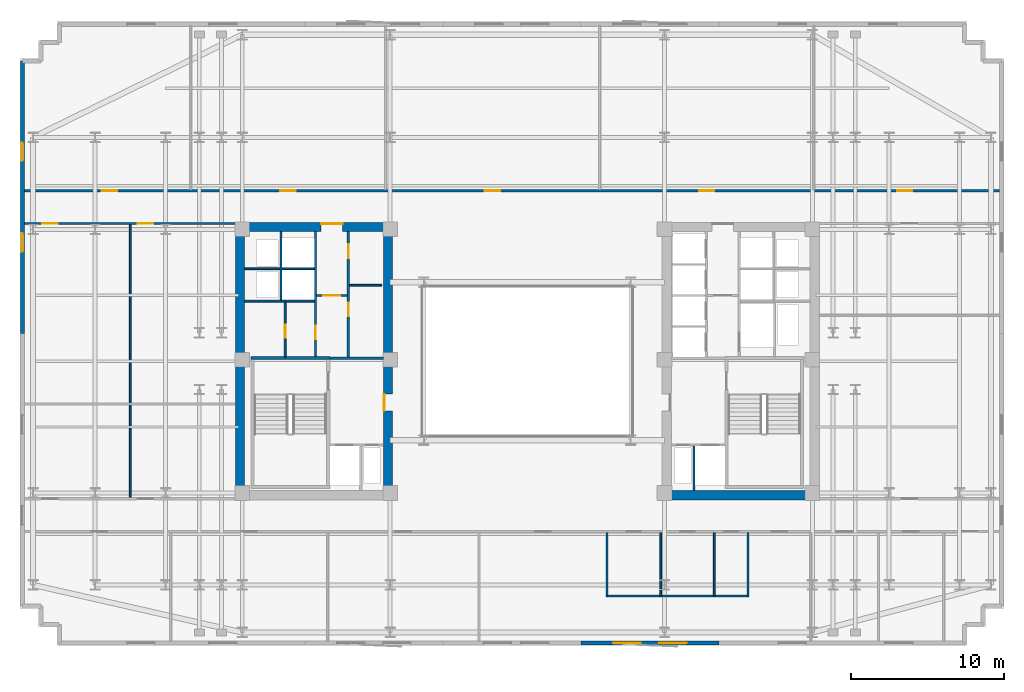
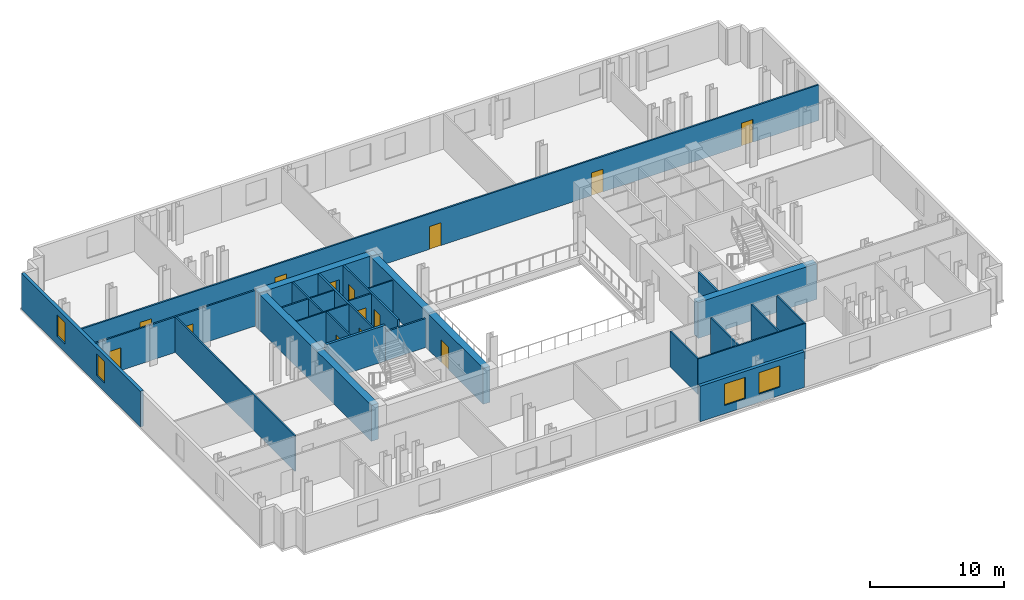
# One storey, part 5 of 9: 26 walls, 14 doors, 4 windows, 18 openings.
"""IFC4 building model written with IfcOpenShell, lengths in metres."""

from ifc_helpers import new_model, si_unit, direction, frame, frame_2d, origin, place, context, subcontext, project, spatial, rectangle, extrude, material, layer, layer_set, type_object, element, fill, save


model = new_model("IFC4")

# Units and contexts
model_context = context("Model", 3, precision=1e-05, world=origin(), true_north=direction((0.0, 1.0)))
body_context = subcontext(model_context, "Body", "Model", "MODEL_VIEW")
ifc_project = project(units=[si_unit("LENGTHUNIT", "METRE"), si_unit("AREAUNIT", "SQUARE_METRE"), si_unit("VOLUMEUNIT", "CUBIC_METRE"), si_unit("PLANEANGLEUNIT", "RADIAN"), si_unit("MASSUNIT", "GRAM", prefix="KILO")], contexts=[model_context])

# Site, building, storey
site_placement = place(None, origin())
site = spatial("IfcSite", under=ifc_project, at=site_placement, CompositionType="ELEMENT")
building_placement = place(site_placement, origin())
building = spatial("IfcBuilding", under=site, at=building_placement, Name="Velakula Bourse", CompositionType="ELEMENT")
storey_placement = place(building_placement, frame((0.0, 0.0, 138.10009765625)))
storey = spatial("IfcBuildingStorey", under=building, at=storey_placement, Name="L37", CompositionType="ELEMENT", Elevation=138.10009765625)

# Wall
ifc_material_1 = material(Name="Concrete M50 (fck 50 MPa)", Category="concrete")
ifc_layer_1 = layer(ifc_material_1, 0.2099609375, Name="Concrete M50 (fck 50 MPa)", Category="concrete")
ifc_layer_set_1 = layer_set([ifc_layer_1], Name="Concrete M50 (fck 50 MPa)")
wall_type_1 = type_object("IfcWallType", Name="WL-CORE-210", PredefinedType="SHEAR", material=ifc_layer_set_1)
wall_1_placement = place(storey_placement, frame((-12.889892578125, 0.205078125, 0.0), z_axis=(0.0, 0.0, 1.0), x_axis=(-1.0, 0.0, 0.0)))
element("IfcWall", 1, at=wall_1_placement, inside=storey, type_object=wall_type_1, Name="L37 Core W Stairwell Shear Wall N", PredefinedType="SHEAR", context=body_context, shape_type="SweptSolid", body=[
    extrude(rectangle(XDim=5.14013671875, YDim=0.2099609375, at=frame_2d((2.570068359375, 0.0))), origin(), (0.0, 0.0, 1.0), 3.27001953125),
])

# Wall, opening, door
ifc_material_2 = material(Name="Concrete M70 (fck 70 MPa)", Category="concrete")
ifc_layer_2 = layer(ifc_material_2, 0.60009765625, Name="Concrete M70 (fck 70 MPa)", Category="concrete")
ifc_layer_set_2 = layer_set([ifc_layer_2], Name="Concrete M70 (fck 70 MPa)")
wall_type_2 = type_object("IfcWallType", Name="WL-CORE-600", PredefinedType="SHEAR", material=ifc_layer_set_2)
wall_2_placement = place(storey_placement, frame((-19.050048828125, 8.75, 0.0), z_axis=(0.0, 0.0, 1.0), x_axis=(1.0, 0.0, 0.0)))
wall_2 = element("IfcWall", 2, at=wall_2_placement, inside=storey, type_object=wall_type_2, Name="L37 Core W Shear Wall N", PredefinedType="SHEAR", context=body_context, shape_type="SweptSolid", body=[
    extrude(rectangle(XDim=10.25, YDim=0.60009765625, at=frame_2d((5.125, 0.0))), origin(), (0.0, 0.0, 1.0), 3.27001953125),
])
opening_1_placement = place(wall_2_placement, frame((5.60009765625, 0.0, 0.0)))
opening_1 = element("IfcOpeningElement", 3, at=opening_1_placement, cuts=wall_2, Name="Opening D-LLW", PredefinedType="OPENING", context=body_context, shape_type="SweptSolid", body=[
    extrude(rectangle(XDim=1.39990234375, YDim=2.050048828125, at=frame_2d((0.699951171875, 1.02490234375))), frame((0.0, 0.31005859375, 0.0), z_axis=(0.0, -1.0, 0.0), x_axis=(1.0, 0.0, 0.0)), (0.0, 0.0, 1.0), 0.6201171875),
])
ifc_material_3 = material(Name="Fire-rated hardwood flush architectural door", Category="wood")
door_type_1 = type_object("IfcDoorType", Name="DR-DBL-FD60-1400", OperationType="DOUBLE_DOOR_SINGLE_SWING", PredefinedType="DOOR", material=ifc_material_3)
door_1_placement = place(opening_1_placement, origin())
door_1 = element("IfcDoor", 4, at=door_1_placement, inside=storey, type_object=door_type_1, Name="L37 Core W Lift Lobby Corridor Double Door", OperationType="DOUBLE_DOOR_SINGLE_SWING", OverallHeight=2.050048828125, OverallWidth=1.39990234375, PredefinedType="DOOR", context=body_context, shape_type="SweptSolid", body=[
    extrude(rectangle(XDim=1.39990234375, YDim=2.050048828125, at=frame_2d((0.699951171875, 1.02490234375))), frame((0.0, 0.2451171875, 0.0), z_axis=(0.0, -1.0, 0.0), x_axis=(1.0, 0.0, 0.0)), (0.0, 0.0, 1.0), 0.050048828125),
])
fill(opening_1, door_1)

# Wall
wall_3_placement = place(storey_placement, frame((-18.75, -8.449951171875, 0.0), z_axis=(0.0, 0.0, 1.0), x_axis=(0.0, 1.0, 0.0)))
element("IfcWall", 5, at=wall_3_placement, inside=storey, type_object=wall_type_2, Name="L37 Core W Shear Wall W", PredefinedType="SHEAR", context=body_context, shape_type="SweptSolid", body=[
    extrude(rectangle(XDim=16.89990234375, YDim=0.60009765625, at=frame_2d((8.449951171875, 0.0))), origin(), (0.0, 0.0, 1.0), 3.27001953125),
])

# Wall, opening, door
wall_4_placement = place(storey_placement, frame((-9.10009765625, -8.449951171875, 0.0), z_axis=(0.0, 0.0, 1.0), x_axis=(0.0, 1.0, 0.0)))
wall_4 = element("IfcWall", 6, at=wall_4_placement, inside=storey, type_object=wall_type_2, Name="L37 Core W Shear Wall E", PredefinedType="SHEAR", context=body_context, shape_type="SweptSolid", body=[
    extrude(rectangle(XDim=16.89990234375, YDim=0.60009765625, at=frame_2d((8.449951171875, 0.0))), origin(), (0.0, 0.0, 1.0), 3.27001953125),
])
opening_2_placement = place(wall_4_placement, frame((5.199951171875, 0.0, 0.0)))
opening_2 = element("IfcOpeningElement", 7, at=opening_2_placement, cuts=wall_4, Name="Opening D-FLW", PredefinedType="OPENING", context=body_context, shape_type="SweptSolid", body=[
    extrude(rectangle(XDim=1.10009765625, YDim=2.080078125, at=frame_2d((0.550048828125, 1.0400390625))), frame((0.0, 0.31005859375, 0.0), z_axis=(0.0, -1.0, 0.0), x_axis=(1.0, 0.0, 0.0)), (0.0, 0.0, 1.0), 0.6201171875),
])
ifc_material_4 = material(Name="Galvanised painted hollow steel fire door", Category="steel")
door_type_2 = type_object("IfcDoorType", Name="DR-FD120-1100", OperationType="NOTDEFINED", PredefinedType="DOOR", material=ifc_material_4)
door_2_placement = place(opening_2_placement, origin())
door_2 = element("IfcDoor", 8, at=door_2_placement, inside=storey, type_object=door_type_2, Name="L37 Firefighting Lobby W Corridor Fire Door", OperationType="SINGLE_SWING_LEFT", OverallHeight=2.080078125, OverallWidth=1.10009765625, PredefinedType="DOOR", context=body_context, shape_type="SweptSolid", body=[
    extrude(rectangle(XDim=1.10009765625, YDim=2.080078125, at=frame_2d((0.550048828125, 1.0400390625))), frame((0.0, 0.2548828125, 0.0), z_axis=(0.0, -1.0, 0.0), x_axis=(1.0, 0.0, 0.0)), (0.0, 0.0, 1.0), 0.050048828125),
])
fill(opening_2, door_2)

# Wall
wall_5_placement = place(storey_placement, frame((8.800048828125, -8.75, 0.0), z_axis=(0.0, 0.0, 1.0), x_axis=(1.0, 0.0, 0.0)))
element("IfcWall", 9, at=wall_5_placement, inside=storey, type_object=wall_type_2, Name="L37 Core E Shear Wall S", PredefinedType="SHEAR", context=body_context, shape_type="SweptSolid", body=[
    extrude(rectangle(XDim=10.25, YDim=0.60009765625, at=frame_2d((5.125, 0.0))), origin(), (0.0, 0.0, 1.0), 3.27001953125),
])

# Wall, openings, windows
ifc_material_5 = material(Name="Red kilned clay facing brick masonry", Category="masonry")
ifc_layer_3 = layer(ifc_material_5, 0.280029296875, Name="Red kilned clay facing brick masonry", Category="masonry")
ifc_layer_set_3 = layer_set([ifc_layer_3], Name="Red kilned clay facing brick masonry")
wall_type_3 = type_object("IfcWallType", Name="WL-EXT-BRK-280", PredefinedType="STANDARD", material=ifc_layer_set_3)
wall_6_placement = place(storey_placement, frame((12.5, -18.389892578125, 0.0), z_axis=(0.0, 0.0, 1.0), x_axis=(-1.0, 0.0, 0.0)))
wall_6 = element("IfcWall", 10, at=wall_6_placement, inside=storey, type_object=wall_type_3, Name="L37 S Brick Spandrel Wall B4", PredefinedType="STANDARD", context=body_context, shape_type="SweptSolid", body=[
    extrude(rectangle(XDim=9.0, YDim=0.280029296875, at=frame_2d((4.5, 0.0))), origin(), (0.0, 0.0, 1.0), 3.25),
])
opening_3_placement = place(wall_6_placement, frame((2.10009765625, 0.0, 0.760009765625)))
opening_3 = element("IfcOpeningElement", 11, at=opening_3_placement, cuts=wall_6, Name="Opening W-01", PredefinedType="OPENING", context=body_context, shape_type="SweptSolid", body=[
    extrude(rectangle(XDim=1.800048828125, YDim=1.949951171875, at=frame_2d((0.89990234375, 0.97509765625))), frame((0.0, 0.14990234375, 0.0), z_axis=(0.0, -1.0, 0.0), x_axis=(1.0, 0.0, 0.0)), (0.0, 0.0, 1.0), 0.300048828125),
])
opening_4_placement = place(wall_6_placement, frame((5.10009765625, 0.0, 0.760009765625)))
opening_4 = element("IfcOpeningElement", 12, at=opening_4_placement, cuts=wall_6, Name="Opening W-01", PredefinedType="OPENING", context=body_context, shape_type="SweptSolid", body=[
    extrude(rectangle(XDim=1.800048828125, YDim=1.949951171875, at=frame_2d((0.89990234375, 0.97509765625))), frame((0.0, 0.14990234375, 0.0), z_axis=(0.0, -1.0, 0.0), x_axis=(1.0, 0.0, 0.0)), (0.0, 0.0, 1.0), 0.300048828125),
])
ifc_material_6 = material(Name="Double-glazed solar-control Low-E glass", Category="glass")
window_type_1 = type_object("IfcWindowType", Name="WIN-TWR-1800x2100", PartitioningType="SINGLE_PANEL", PredefinedType="WINDOW", material=ifc_material_6)
window_1_placement = place(opening_3_placement, origin())
window_1 = element("IfcWindow", 13, at=window_1_placement, inside=storey, type_object=window_type_1, Name="L37 Deep-Set Recessed Window 1", OverallHeight=1.949951171875, OverallWidth=1.800048828125, PartitioningType="SINGLE_PANEL", PredefinedType="WINDOW", context=body_context, shape_type="SweptSolid", body=[
    extrude(rectangle(XDim=1.800048828125, YDim=1.949951171875, at=frame_2d((0.89990234375, 0.97509765625))), frame((0.0, 0.030029296875, 0.0), z_axis=(0.0, -1.0, 0.0), x_axis=(1.0, 0.0, 0.0)), (0.0, 0.0, 1.0), 0.06005859375),
])
fill(opening_3, window_1)
window_2_placement = place(opening_4_placement, origin())
window_2 = element("IfcWindow", 14, at=window_2_placement, inside=storey, type_object=window_type_1, Name="L37 Deep-Set Recessed Window 2", OverallHeight=1.949951171875, OverallWidth=1.800048828125, PartitioningType="SINGLE_PANEL", PredefinedType="WINDOW", context=body_context, shape_type="SweptSolid", body=[
    extrude(rectangle(XDim=1.800048828125, YDim=1.949951171875, at=frame_2d((0.89990234375, 0.97509765625))), frame((0.0, 0.030029296875, 0.0), z_axis=(0.0, -1.0, 0.0), x_axis=(1.0, 0.0, 0.0)), (0.0, 0.0, 1.0), 0.06005859375),
])
fill(opening_4, window_2)

wall_7_placement = place(storey_placement, frame((-32.93994140625, 1.800048828125, 0.0), z_axis=(0.0, 0.0, 1.0), x_axis=(0.0, 1.0, 0.0)))
wall_7 = element("IfcWall", 15, at=wall_7_placement, inside=storey, type_object=wall_type_3, Name="L37 W Brick End Wall W2", PredefinedType="STANDARD", context=body_context, shape_type="SweptSolid", body=[
    extrude(rectangle(XDim=17.7900390625, YDim=0.280029296875, at=frame_2d((8.89501953125, 0.0))), origin(), (0.0, 0.0, 1.0), 3.25),
])
opening_5_placement = place(wall_7_placement, frame((5.330078125, 0.0, 0.760009765625)))
opening_5 = element("IfcOpeningElement", 16, at=opening_5_placement, cuts=wall_7, Name="Opening W-04", PredefinedType="OPENING", context=body_context, shape_type="SweptSolid", body=[
    extrude(rectangle(XDim=1.199951171875, YDim=1.949951171875, at=frame_2d((0.60009765625, 0.97509765625))), frame((0.0, 0.14990234375, 0.0), z_axis=(0.0, -1.0, 0.0), x_axis=(1.0, 0.0, 0.0)), (0.0, 0.0, 1.0), 0.300048828125),
])
opening_6_placement = place(wall_7_placement, frame((11.260009765625, 0.0, 0.760009765625)))
opening_6 = element("IfcOpeningElement", 17, at=opening_6_placement, cuts=wall_7, Name="Opening W-04", PredefinedType="OPENING", context=body_context, shape_type="SweptSolid", body=[
    extrude(rectangle(XDim=1.199951171875, YDim=1.949951171875, at=frame_2d((0.60009765625, 0.97509765625))), frame((0.0, 0.14990234375, 0.0), z_axis=(0.0, -1.0, 0.0), x_axis=(1.0, 0.0, 0.0)), (0.0, 0.0, 1.0), 0.300048828125),
])
window_type_2 = type_object("IfcWindowType", Name="WIN-TWR-1200x2100", PartitioningType="SINGLE_PANEL", PredefinedType="WINDOW", material=ifc_material_6)
window_3_placement = place(opening_5_placement, origin())
window_3 = element("IfcWindow", 18, at=window_3_placement, inside=storey, type_object=window_type_2, Name="L37 Deep-Set Recessed Window 1", OverallHeight=1.949951171875, OverallWidth=1.199951171875, PartitioningType="SINGLE_PANEL", PredefinedType="WINDOW", context=body_context, shape_type="SweptSolid", body=[
    extrude(rectangle(XDim=1.199951171875, YDim=1.949951171875, at=frame_2d((0.60009765625, 0.97509765625))), frame((0.0, 0.030029296875, 0.0), z_axis=(0.0, -1.0, 0.0), x_axis=(1.0, 0.0, 0.0)), (0.0, 0.0, 1.0), 0.06005859375),
])
fill(opening_5, window_3)
window_4_placement = place(opening_6_placement, origin())
window_4 = element("IfcWindow", 19, at=window_4_placement, inside=storey, type_object=window_type_2, Name="L37 Deep-Set Recessed Window 2", OverallHeight=1.949951171875, OverallWidth=1.199951171875, PartitioningType="SINGLE_PANEL", PredefinedType="WINDOW", context=body_context, shape_type="SweptSolid", body=[
    extrude(rectangle(XDim=1.199951171875, YDim=1.949951171875, at=frame_2d((0.60009765625, 0.97509765625))), frame((0.0, 0.030029296875, 0.0), z_axis=(0.0, -1.0, 0.0), x_axis=(1.0, 0.0, 0.0)), (0.0, 0.0, 1.0), 0.06005859375),
])
fill(opening_6, window_4)

# Wall, opening, door
ifc_material_7 = material(Name="Fire-rated double-layer gypsum drywall partition", Category="gypsum")
ifc_layer_4 = layer(ifc_material_7, 0.1201171875, Name="Fire-rated double-layer gypsum drywall partition", Category="gypsum")
ifc_layer_set_4 = layer_set([ifc_layer_4], Name="Fire-rated double-layer gypsum drywall partition")
wall_type_4 = type_object("IfcWallType", Name="WL-PART-120", PredefinedType="STANDARD", material=ifc_layer_set_4)
wall_8_placement = place(storey_placement, frame((-13.75, 4.280029296875, 0.0), z_axis=(0.0, 0.0, 1.0), x_axis=(1.0, 0.0, 0.0)))
wall_8 = element("IfcWall", 20, at=wall_8_placement, inside=storey, type_object=wall_type_4, Name="L37 Interior Partition WL-CRW-L37-LL-K2", PredefinedType="STANDARD", context=body_context, shape_type="SweptSolid", body=[
    extrude(rectangle(XDim=2.0, YDim=0.1201171875, at=frame_2d((1.0, 0.0))), origin(), (0.0, 0.0, 1.0), 3.25),
])
opening_7_placement = place(wall_8_placement, frame((0.449951171875, 0.0, 0.0)))
opening_7 = element("IfcOpeningElement", 21, at=opening_7_placement, cuts=wall_8, Name="Opening D-LK2", PredefinedType="OPENING", context=body_context, shape_type="SweptSolid", body=[
    extrude(rectangle(XDim=1.10009765625, YDim=2.10009765625, at=frame_2d((0.550048828125, 1.050048828125))), frame((0.0, 0.070068359375, 0.0), z_axis=(0.0, -1.0, 0.0), x_axis=(1.0, 0.0, 0.0)), (0.0, 0.0, 1.0), 0.14013671875),
])
door_type_3 = type_object("IfcDoorType", Name="DR-FD60-1100x2100", OperationType="NOTDEFINED", PredefinedType="DOOR", material=ifc_material_3)
door_3_placement = place(opening_7_placement, origin())
door_3 = element("IfcDoor", 22, at=door_3_placement, inside=storey, type_object=door_type_3, Name="L37 Core W Lift Lobby Zone Door", OperationType="SINGLE_SWING_RIGHT", OverallHeight=2.10009765625, OverallWidth=1.10009765625, PredefinedType="DOOR", context=body_context, shape_type="SweptSolid", body=[
    extrude(rectangle(XDim=1.10009765625, YDim=2.10009765625, at=frame_2d((0.550048828125, 1.050048828125))), frame((0.0, 0.02490234375, 0.0), z_axis=(0.0, -1.0, 0.0), x_axis=(1.0, 0.0, 0.0)), (0.0, 0.0, 1.0), 0.050048828125),
])
fill(opening_7, door_3)

# Walls
wall_9_placement = place(storey_placement, frame((-11.60009765625, 4.949951171875, 0.0), z_axis=(0.0, 0.0, 1.0), x_axis=(1.0, 0.0, 0.0)))
element("IfcWall", 23, at=wall_9_placement, inside=storey, type_object=wall_type_4, Name="L37 Interior Partition WL-CRW-L37-RCDIV", PredefinedType="STANDARD", context=body_context, shape_type="SweptSolid", body=[
    extrude(rectangle(XDim=2.10009765625, YDim=0.1201171875, at=frame_2d((1.050048828125, 0.0))), origin(), (0.0, 0.0, 1.0), 3.25),
])
wall_10_placement = place(storey_placement, frame((-18.449951171875, 3.919921875, 0.0), z_axis=(0.0, 0.0, 1.0), x_axis=(1.0, 0.0, 0.0)))
element("IfcWall", 24, at=wall_10_placement, inside=storey, type_object=wall_type_4, Name="L37 Interior Partition WL-CRW-L37-HI-S", PredefinedType="STANDARD", context=body_context, shape_type="SweptSolid", body=[
    extrude(rectangle(XDim=4.550048828125, YDim=0.1201171875, at=frame_2d((2.27490234375, 0.0))), origin(), (0.0, 0.0, 1.0), 3.25),
])
wall_11_placement = place(storey_placement, frame((-18.449951171875, 6.030029296875, 0.0), z_axis=(0.0, 0.0, 1.0), x_axis=(1.0, 0.0, 0.0)))
element("IfcWall", 25, at=wall_11_placement, inside=storey, type_object=wall_type_4, Name="L37 Interior Partition WL-CRW-L37-RIS-MID", PredefinedType="STANDARD", context=body_context, shape_type="SweptSolid", body=[
    extrude(rectangle(XDim=2.300048828125, YDim=0.1201171875, at=frame_2d((1.14990234375, 0.0))), origin(), (0.0, 0.0, 1.0), 3.25),
])
wall_12_placement = place(storey_placement, frame((-16.074951171875, 3.97998046875, 0.0), z_axis=(0.0, 0.0, 1.0), x_axis=(0.0, 1.0, 0.0)))
element("IfcWall", 26, at=wall_12_placement, inside=storey, type_object=wall_type_4, Name="L37 Interior Partition WL-CRW-L37-RIS-F", PredefinedType="STANDARD", context=body_context, shape_type="SweptSolid", body=[
    extrude(rectangle(XDim=4.469970703125, YDim=0.1201171875, at=frame_2d((2.23486328125, 0.0))), origin(), (0.0, 0.0, 1.0), 3.25),
])
wall_13_placement = place(storey_placement, frame((-16.0, 6.030029296875, 0.0), z_axis=(0.0, 0.0, 1.0), x_axis=(1.0, 0.0, 0.0)))
element("IfcWall", 27, at=wall_13_placement, inside=storey, type_object=wall_type_4, Name="L37 Interior Partition WL-CRW-L37-HI-DIV", PredefinedType="STANDARD", context=body_context, shape_type="SweptSolid", body=[
    extrude(rectangle(XDim=2.10009765625, YDim=0.1201171875, at=frame_2d((1.050048828125, 0.0))), origin(), (0.0, 0.0, 1.0), 3.25),
])

# Wall, opening, door
wall_14_placement = place(storey_placement, frame((-15.800048828125, 0.27001953125, 0.0), z_axis=(0.0, 0.0, 1.0), x_axis=(0.0, 1.0, 0.0)))
wall_14 = element("IfcWall", 28, at=wall_14_placement, inside=storey, type_object=wall_type_4, Name="L37 Interior Partition WL-CRW-L37-K2", PredefinedType="STANDARD", context=body_context, shape_type="SweptSolid", body=[
    extrude(rectangle(XDim=3.590087890625, YDim=0.1201171875, at=frame_2d((1.794921875, 0.0))), origin(), (0.0, 0.0, 1.0), 3.25),
])
opening_8_placement = place(wall_14_placement, frame((1.25, 0.0, 0.0)))
opening_8 = element("IfcOpeningElement", 29, at=opening_8_placement, cuts=wall_14, Name="Opening D-CE1", PredefinedType="OPENING", context=body_context, shape_type="SweptSolid", body=[
    extrude(rectangle(XDim=0.85009765625, YDim=2.050048828125, at=frame_2d((0.425048828125, 1.02490234375))), frame((0.0, 0.070068359375, 0.0), z_axis=(0.0, -1.0, 0.0), x_axis=(1.0, 0.0, 0.0)), (0.0, 0.0, 1.0), 0.14013671875),
])
door_type_4 = type_object("IfcDoorType", Name="DR-INT-850", OperationType="NOTDEFINED", PredefinedType="DOOR", material=ifc_material_3)
door_4_placement = place(opening_8_placement, origin())
door_4 = element("IfcDoor", 30, at=door_4_placement, inside=storey, type_object=door_type_4, Name="L37 Core Equipment Store Door", OperationType="SINGLE_SWING_RIGHT", OverallHeight=2.050048828125, OverallWidth=0.85009765625, PredefinedType="DOOR", context=body_context, shape_type="SweptSolid", body=[
    extrude(rectangle(XDim=0.85009765625, YDim=2.050048828125, at=frame_2d((0.425048828125, 1.02490234375))), frame((0.0, 0.02490234375, 0.0), z_axis=(0.0, -1.0, 0.0), x_axis=(1.0, 0.0, 0.0)), (0.0, 0.0, 1.0), 0.050048828125),
])
fill(opening_8, door_4)

# Walls
wall_15_placement = place(storey_placement, frame((5.139892578125, -15.320068359375, 0.0), z_axis=(0.0, 0.0, 1.0), x_axis=(1.0, 0.0, 0.0)))
element("IfcWall", 31, at=wall_15_placement, inside=storey, type_object=wall_type_4, Name="L37 Interior Partition WL-WC-L37-BACK", PredefinedType="STANDARD", context=body_context, shape_type="SweptSolid", body=[
    extrude(rectangle(XDim=9.320068359375, YDim=0.1201171875, at=frame_2d((4.66015625, 0.0))), origin(), (0.0, 0.0, 1.0), 3.25),
])
for number, where, z_axis, x_axis, name in (
    (32, (5.199951171875, -15.320068359375, 0.0), (0.0, 0.0, 1.0), (0.0, 1.0, 0.0), "L37 Interior Partition WL-WC-L37-V1"),
    (33, (8.699951171875, -15.320068359375, 0.0), (0.0, 0.0, 1.0), (0.0, 1.0, 0.0), "L37 Interior Partition WL-WC-L37-V2"),
    (34, (12.199951171875, -15.320068359375, 0.0), (0.0, 0.0, 1.0), (0.0, 1.0, 0.0), "L37 Interior Partition WL-WC-L37-V3"),
    (35, (14.39990234375, -15.320068359375, 0.0), (0.0, 0.0, 1.0), (0.0, 1.0, 0.0), "L37 Interior Partition WL-WC-L37-V4"),
):
    element("IfcWall", number, at=place(storey_placement, frame(where, z_axis=z_axis, x_axis=x_axis)), inside=storey, type_object=wall_type_4, Name=name, PredefinedType="STANDARD", context=body_context, shape_type="SweptSolid", body=[
        extrude(rectangle(XDim=4.130126953125, YDim=0.1201171875, at=frame_2d((2.06494140625, 0.0))), origin(), (0.0, 0.0, 1.0), 3.25),
    ])
wall_16_placement = place(storey_placement, frame((-25.905029296875, -8.97998046875, 0.0), z_axis=(0.0, 0.0, 1.0), x_axis=(0.0, 1.0, 0.0)))
element("IfcWall", 36, at=wall_16_placement, inside=storey, type_object=wall_type_4, Name="L37 Interior Partition WL-INT-L37-W-V1", PredefinedType="STANDARD", context=body_context, shape_type="SweptSolid", body=[
    extrude(rectangle(XDim=17.9599609375, YDim=0.1201171875, at=frame_2d((8.97998046875, 0.0))), origin(), (0.0, 0.0, 1.0), 3.25),
])

# Wall, openings, doors
ifc_layer_5 = layer(ifc_material_7, 0.139892578125, Name="Fire-rated double-layer gypsum drywall partition", Category="gypsum")
ifc_layer_set_5 = layer_set([ifc_layer_5], Name="Fire-rated double-layer gypsum drywall partition")
wall_type_5 = type_object("IfcWallType", Name="WL-PART-140", PredefinedType="STANDARD", material=ifc_layer_set_5)
wall_17_placement = place(storey_placement, frame((-32.820068359375, 11.1201171875, 0.0), z_axis=(0.0, 0.0, 1.0), x_axis=(1.0, 0.0, 0.0)))
wall_17 = element("IfcWall", 37, at=wall_17_placement, inside=storey, type_object=wall_type_5, Name="L37 Interior Partition WL-INT-L37-N-CORR", PredefinedType="STANDARD", context=body_context, shape_type="SweptSolid", body=[
    extrude(rectangle(XDim=63.64013671875, YDim=0.139892578125, at=frame_2d((31.820068359375, 0.0))), origin(), (0.0, 0.0, 1.0), 3.25),
])
opening_9_placement = place(wall_17_placement, frame((5.054931640625, 0.0, 0.0)))
opening_9 = element("IfcOpeningElement", 38, at=opening_9_placement, cuts=wall_17, Name="Opening D-OF1", PredefinedType="OPENING", context=body_context, shape_type="SweptSolid", body=[
    extrude(rectangle(XDim=1.0, YDim=2.080078125, at=frame_2d((0.5, 1.0400390625))), frame((0.0, 0.079833984375, 0.0), z_axis=(0.0, -1.0, 0.0), x_axis=(1.0, 0.0, 0.0)), (0.0, 0.0, 1.0), 0.159912109375),
])
opening_10_placement = place(wall_17_placement, frame((16.7099609375, 0.0, 0.0)))
opening_10 = element("IfcOpeningElement", 39, at=opening_10_placement, cuts=wall_17, Name="Opening D-OF1", PredefinedType="OPENING", context=body_context, shape_type="SweptSolid", body=[
    extrude(rectangle(XDim=1.0, YDim=2.080078125, at=frame_2d((0.5, 1.0400390625))), frame((0.0, 0.079833984375, 0.0), z_axis=(0.0, -1.0, 0.0), x_axis=(1.0, 0.0, 0.0)), (0.0, 0.0, 1.0), 0.159912109375),
])
opening_11_placement = place(wall_17_placement, frame((30.049560546875, 0.0, 0.0)))
opening_11 = element("IfcOpeningElement", 40, at=opening_11_placement, cuts=wall_17, Name="Opening D-OF1", PredefinedType="OPENING", context=body_context, shape_type="SweptSolid", body=[
    extrude(rectangle(XDim=1.0, YDim=2.080078125, at=frame_2d((0.5, 1.0400390625))), frame((0.0, 0.079833984375, 0.0), z_axis=(0.0, -1.0, 0.0), x_axis=(1.0, 0.0, 0.0)), (0.0, 0.0, 1.0), 0.159912109375),
])
opening_12_placement = place(wall_17_placement, frame((44.02392578125, 0.0, 0.0)))
opening_12 = element("IfcOpeningElement", 41, at=opening_12_placement, cuts=wall_17, Name="Opening D-OF1", PredefinedType="OPENING", context=body_context, shape_type="SweptSolid", body=[
    extrude(rectangle(XDim=1.0, YDim=2.080078125, at=frame_2d((0.5, 1.0400390625))), frame((0.0, 0.079833984375, 0.0), z_axis=(0.0, -1.0, 0.0), x_axis=(1.0, 0.0, 0.0)), (0.0, 0.0, 1.0), 0.159912109375),
])
opening_13_placement = place(wall_17_placement, frame((56.949462890625, 0.0, 0.0)))
opening_13 = element("IfcOpeningElement", 42, at=opening_13_placement, cuts=wall_17, Name="Opening D-OF1", PredefinedType="OPENING", context=body_context, shape_type="SweptSolid", body=[
    extrude(rectangle(XDim=1.0, YDim=2.080078125, at=frame_2d((0.5, 1.0400390625))), frame((0.0, 0.079833984375, 0.0), z_axis=(0.0, -1.0, 0.0), x_axis=(1.0, 0.0, 0.0)), (0.0, 0.0, 1.0), 0.159912109375),
])
door_type_5 = type_object("IfcDoorType", Name="DR-OFF-1000", OperationType="NOTDEFINED", PredefinedType="DOOR", material=ifc_material_3)
door_5_placement = place(opening_9_placement, origin())
door_5 = element("IfcDoor", 43, at=door_5_placement, inside=storey, type_object=door_type_5, Name="L37 Sovereign Wealth Desk Workspace Door", OperationType="SINGLE_SWING_LEFT", OverallHeight=2.080078125, OverallWidth=1.0, PredefinedType="DOOR", context=body_context, shape_type="SweptSolid", body=[
    extrude(rectangle(XDim=1.0, YDim=2.080078125, at=frame_2d((0.5, 1.0400390625))), frame((0.0, 0.02490234375, 0.0), z_axis=(0.0, -1.0, 0.0), x_axis=(1.0, 0.0, 0.0)), (0.0, 0.0, 1.0), 0.050048828125),
])
fill(opening_9, door_5)
door_6_placement = place(opening_10_placement, origin())
door_6 = element("IfcDoor", 44, at=door_6_placement, inside=storey, type_object=door_type_5, Name="L37 Peer Review Boardroom Door", OperationType="SINGLE_SWING_RIGHT", OverallHeight=2.080078125, OverallWidth=1.0, PredefinedType="DOOR", context=body_context, shape_type="SweptSolid", body=[
    extrude(rectangle(XDim=1.0, YDim=2.080078125, at=frame_2d((0.5, 1.0400390625))), frame((0.0, 0.02490234375, 0.0), z_axis=(0.0, -1.0, 0.0), x_axis=(1.0, 0.0, 0.0)), (0.0, 0.0, 1.0), 0.050048828125),
])
fill(opening_10, door_6)
door_7_placement = place(opening_11_placement, origin())
door_7 = element("IfcDoor", 45, at=door_7_placement, inside=storey, type_object=door_type_5, Name="L37 Catering Servery Pantry Door", OperationType="SINGLE_SWING_LEFT", OverallHeight=2.080078125, OverallWidth=1.0, PredefinedType="DOOR", context=body_context, shape_type="SweptSolid", body=[
    extrude(rectangle(XDim=1.0, YDim=2.080078125, at=frame_2d((0.5, 1.0400390625))), frame((0.0, 0.02490234375, 0.0), z_axis=(0.0, -1.0, 0.0), x_axis=(1.0, 0.0, 0.0)), (0.0, 0.0, 1.0), 0.050048828125),
])
fill(opening_11, door_7)
door_8_placement = place(opening_12_placement, origin())
door_8 = element("IfcDoor", 46, at=door_8_placement, inside=storey, type_object=door_type_5, Name="L37 Breakout Dining Lounge Door", OperationType="SINGLE_SWING_RIGHT", OverallHeight=2.080078125, OverallWidth=1.0, PredefinedType="DOOR", context=body_context, shape_type="SweptSolid", body=[
    extrude(rectangle(XDim=1.0, YDim=2.080078125, at=frame_2d((0.5, 1.0400390625))), frame((0.0, 0.02490234375, 0.0), z_axis=(0.0, -1.0, 0.0), x_axis=(1.0, 0.0, 0.0)), (0.0, 0.0, 1.0), 0.050048828125),
])
fill(opening_12, door_8)
door_9_placement = place(opening_13_placement, origin())
door_9 = element("IfcDoor", 47, at=door_9_placement, inside=storey, type_object=door_type_5, Name="L37 Bullion Assay Office Door", OperationType="SINGLE_SWING_LEFT", OverallHeight=2.080078125, OverallWidth=1.0, PredefinedType="DOOR", context=body_context, shape_type="SweptSolid", body=[
    extrude(rectangle(XDim=1.0, YDim=2.080078125, at=frame_2d((0.5, 1.0400390625))), frame((0.0, 0.02490234375, 0.0), z_axis=(0.0, -1.0, 0.0), x_axis=(1.0, 0.0, 0.0)), (0.0, 0.0, 1.0), 0.050048828125),
])
fill(opening_13, door_9)

wall_18_placement = place(storey_placement, frame((-32.820068359375, 8.97998046875, 0.0), z_axis=(0.0, 0.0, 1.0), x_axis=(1.0, 0.0, 0.0)))
wall_18 = element("IfcWall", 48, at=wall_18_placement, inside=storey, type_object=wall_type_5, Name="L37 Interior Partition WL-INT-L37-W-NC", PredefinedType="STANDARD", context=body_context, shape_type="SweptSolid", body=[
    extrude(rectangle(XDim=13.77001953125, YDim=0.139892578125, at=frame_2d((6.885009765625, 0.0))), origin(), (0.0, 0.0, 1.0), 3.25),
])
opening_14_placement = place(wall_18_placement, frame((1.17138671875, 0.0, 0.0)))
opening_14 = element("IfcOpeningElement", 49, at=opening_14_placement, cuts=wall_18, Name="Opening D-OF1", PredefinedType="OPENING", context=body_context, shape_type="SweptSolid", body=[
    extrude(rectangle(XDim=1.0, YDim=2.080078125, at=frame_2d((0.5, 1.0400390625))), frame((0.0, 0.079833984375, 0.0), z_axis=(0.0, -1.0, 0.0), x_axis=(1.0, 0.0, 0.0)), (0.0, 0.0, 1.0), 0.159912109375),
])
opening_15_placement = place(wall_18_placement, frame((7.4130859375, 0.0, 0.0)))
opening_15 = element("IfcOpeningElement", 50, at=opening_15_placement, cuts=wall_18, Name="Opening D-OF1", PredefinedType="OPENING", context=body_context, shape_type="SweptSolid", body=[
    extrude(rectangle(XDim=1.0, YDim=2.080078125, at=frame_2d((0.5, 1.0400390625))), frame((0.0, 0.079833984375, 0.0), z_axis=(0.0, -1.0, 0.0), x_axis=(1.0, 0.0, 0.0)), (0.0, 0.0, 1.0), 0.159912109375),
])
door_10_placement = place(opening_14_placement, origin())
door_10 = element("IfcDoor", 51, at=door_10_placement, inside=storey, type_object=door_type_5, Name="L37 Issuer Relations Office Door", OperationType="SINGLE_SWING_LEFT", OverallHeight=2.080078125, OverallWidth=1.0, PredefinedType="DOOR", context=body_context, shape_type="SweptSolid", body=[
    extrude(rectangle(XDim=1.0, YDim=2.080078125, at=frame_2d((0.5, 1.0400390625))), frame((0.0, 0.02490234375, 0.0), z_axis=(0.0, -1.0, 0.0), x_axis=(1.0, 0.0, 0.0)), (0.0, 0.0, 1.0), 0.050048828125),
])
fill(opening_14, door_10)
door_11_placement = place(opening_15_placement, origin())
door_11 = element("IfcDoor", 52, at=door_11_placement, inside=storey, type_object=door_type_5, Name="L37 Clearing Committee Room Door", OperationType="SINGLE_SWING_RIGHT", OverallHeight=2.080078125, OverallWidth=1.0, PredefinedType="DOOR", context=body_context, shape_type="SweptSolid", body=[
    extrude(rectangle(XDim=1.0, YDim=2.080078125, at=frame_2d((0.5, 1.0400390625))), frame((0.0, 0.02490234375, 0.0), z_axis=(0.0, -1.0, 0.0), x_axis=(1.0, 0.0, 0.0)), (0.0, 0.0, 1.0), 0.050048828125),
])
fill(opening_15, door_11)

# Wall
ifc_material_8 = material(Name="Autoclaved aerated concrete blockwork masonry", Category="masonry")
ifc_layer_6 = layer(ifc_material_8, 0.14990234375, Name="Autoclaved aerated concrete blockwork masonry", Category="masonry")
ifc_layer_set_6 = layer_set([ifc_layer_6], Name="Autoclaved aerated concrete blockwork masonry")
wall_type_6 = type_object("IfcWallType", Name="WL-SHAFT-150", PredefinedType="STANDARD", material=ifc_layer_set_6)
wall_19_placement = place(storey_placement, frame((-12.889892578125, 0.18994140625, 0.0), z_axis=(0.0, 0.0, 1.0), x_axis=(1.0, 0.0, 0.0)))
element("IfcWall", 53, at=wall_19_placement, inside=storey, type_object=wall_type_6, Name="L37 Interior Partition WL-CRW-L37-FF-TOP", PredefinedType="STANDARD", context=body_context, shape_type="SweptSolid", body=[
    extrude(rectangle(XDim=3.489990234375, YDim=0.14990234375, at=frame_2d((1.7451171875, 0.0))), origin(), (0.0, 0.0, 1.0), 2.64501953125),
])

# Wall, openings, doors
wall_20_placement = place(storey_placement, frame((-11.675048828125, 0.27001953125, 0.0), z_axis=(0.0, 0.0, 1.0), x_axis=(0.0, 1.0, 0.0)))
wall_20 = element("IfcWall", 54, at=wall_20_placement, inside=storey, type_object=wall_type_6, Name="L37 Interior Partition WL-CRW-L37-BANK-F", PredefinedType="STANDARD", context=body_context, shape_type="SweptSolid", body=[
    extrude(rectangle(XDim=8.179931640625, YDim=0.14990234375, at=frame_2d((4.08984375, 0.0))), origin(), (0.0, 0.0, 1.0), 3.25),
])
opening_16_placement = place(wall_20_placement, frame((2.64990234375, 0.0, 0.0)))
opening_16 = element("IfcOpeningElement", 55, at=opening_16_placement, cuts=wall_20, Name="Opening D-RC1", PredefinedType="OPENING", context=body_context, shape_type="SweptSolid", body=[
    extrude(rectangle(XDim=0.89990234375, YDim=2.050048828125, at=frame_2d((0.449951171875, 1.02490234375))), frame((0.0, 0.0849609375, 0.0), z_axis=(0.0, -1.0, 0.0), x_axis=(1.0, 0.0, 0.0)), (0.0, 0.0, 1.0), 0.169921875),
])
opening_17_placement = place(wall_20_placement, frame((6.449951171875, 0.0, 0.0)))
opening_17 = element("IfcOpeningElement", 56, at=opening_17_placement, cuts=wall_20, Name="Opening D-RC1", PredefinedType="OPENING", context=body_context, shape_type="SweptSolid", body=[
    extrude(rectangle(XDim=0.89990234375, YDim=2.050048828125, at=frame_2d((0.449951171875, 1.02490234375))), frame((0.0, 0.0849609375, 0.0), z_axis=(0.0, -1.0, 0.0), x_axis=(1.0, 0.0, 0.0)), (0.0, 0.0, 1.0), 0.169921875),
])
door_type_6 = type_object("IfcDoorType", Name="DR-FD60-900", OperationType="NOTDEFINED", PredefinedType="DOOR", material=ifc_material_3)
door_12_placement = place(opening_16_placement, origin())
door_12 = element("IfcDoor", 57, at=door_12_placement, inside=storey, type_object=door_type_6, Name="L37 Reclaimed Archive Room Door", OperationType="SINGLE_SWING_RIGHT", OverallHeight=2.050048828125, OverallWidth=0.89990234375, PredefinedType="DOOR", context=body_context, shape_type="SweptSolid", body=[
    extrude(rectangle(XDim=0.89990234375, YDim=2.050048828125, at=frame_2d((0.449951171875, 1.02490234375))), frame((0.0, 0.02490234375, 0.0), z_axis=(0.0, -1.0, 0.0), x_axis=(1.0, 0.0, 0.0)), (0.0, 0.0, 1.0), 0.050048828125),
])
fill(opening_16, door_12)
door_13_placement = place(opening_17_placement, origin())
door_13 = element("IfcDoor", 58, at=door_13_placement, inside=storey, type_object=door_type_6, Name="L37 Reclaimed Registry Store Door", OperationType="SINGLE_SWING_LEFT", OverallHeight=2.050048828125, OverallWidth=0.89990234375, PredefinedType="DOOR", context=body_context, shape_type="SweptSolid", body=[
    extrude(rectangle(XDim=0.89990234375, YDim=2.050048828125, at=frame_2d((0.449951171875, 1.02490234375))), frame((0.0, 0.02490234375, 0.0), z_axis=(0.0, -1.0, 0.0), x_axis=(1.0, 0.0, 0.0)), (0.0, 0.0, 1.0), 0.050048828125),
])
fill(opening_17, door_13)

# Wall, opening, door
wall_21_placement = place(storey_placement, frame((-13.824951171875, 0.27001953125, 0.0), z_axis=(0.0, 0.0, 1.0), x_axis=(0.0, 1.0, 0.0)))
wall_21 = element("IfcWall", 59, at=wall_21_placement, inside=storey, type_object=wall_type_6, Name="L37 Interior Partition WL-CRW-L37-OUT-F", PredefinedType="STANDARD", context=body_context, shape_type="SweptSolid", body=[
    extrude(rectangle(XDim=8.179931640625, YDim=0.14990234375, at=frame_2d((4.08984375, 0.0))), origin(), (0.0, 0.0, 1.0), 3.25),
])
opening_18_placement = place(wall_21_placement, frame((1.14990234375, 0.0, 0.0)))
opening_18 = element("IfcOpeningElement", 60, at=opening_18_placement, cuts=wall_21, Name="Opening D-CP1", PredefinedType="OPENING", context=body_context, shape_type="SweptSolid", body=[
    extrude(rectangle(XDim=0.89990234375, YDim=2.050048828125, at=frame_2d((0.449951171875, 1.02490234375))), frame((0.0, 0.0849609375, 0.0), z_axis=(0.0, -1.0, 0.0), x_axis=(1.0, 0.0, 0.0)), (0.0, 0.0, 1.0), 0.169921875),
])
door_type_7 = type_object("IfcDoorType", Name="DR-INT-900", OperationType="NOTDEFINED", PredefinedType="DOOR", material=ifc_material_3)
door_14_placement = place(opening_18_placement, origin())
door_14 = element("IfcDoor", 61, at=door_14_placement, inside=storey, type_object=door_type_7, Name="L37 Core Tea Pantry Door", OperationType="SINGLE_SWING_RIGHT", OverallHeight=2.050048828125, OverallWidth=0.89990234375, PredefinedType="DOOR", context=body_context, shape_type="SweptSolid", body=[
    extrude(rectangle(XDim=0.89990234375, YDim=2.050048828125, at=frame_2d((0.449951171875, 1.02490234375))), frame((0.0, 0.02490234375, 0.0), z_axis=(0.0, -1.0, 0.0), x_axis=(1.0, 0.0, 0.0)), (0.0, 0.0, 1.0), 0.050048828125),
])
fill(opening_18, door_14)

# Wall
wall_22_placement = place(storey_placement, frame((10.875, -8.449951171875, 0.0), z_axis=(0.0, 0.0, 1.0), x_axis=(0.0, 1.0, 0.0)))
element("IfcWall", 62, at=wall_22_placement, inside=storey, type_object=wall_type_6, Name="L37 Interior Partition WL-CRE-L37-FR-DIV", PredefinedType="STANDARD", context=body_context, shape_type="SweptSolid", body=[
    extrude(rectangle(XDim=2.89990234375, YDim=0.14990234375, at=frame_2d((1.449951171875, 0.0))), origin(), (0.0, 0.0, 1.0), 3.25),
])

save(model, "model.ifc")
